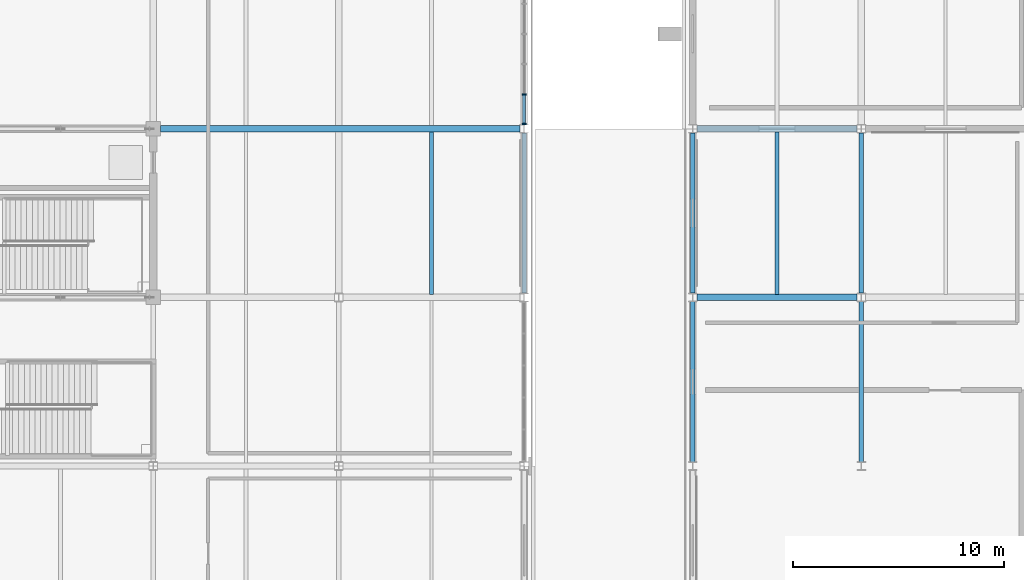
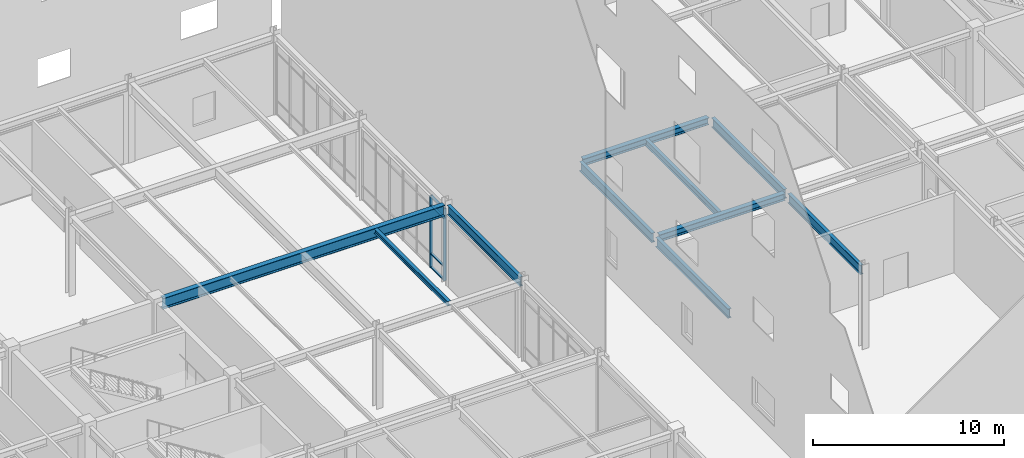
# One storey, part 43 of 119: 10 beams, 6 members, 1 element without a shape of its own.
"""IFC4 building model written with IfcOpenShell, lengths in metres."""

from ifc_helpers import new_model, si_unit, direction, frame, origin, origin_2d, place, context, subcontext, project, spatial, rectangle, i_section, extrude, material, material_profile, profile_set, type_object, element, aggregate, save


model = new_model("IFC4")

# Units and contexts
model_context = context("Model", 3, precision=1e-05, world=origin(), true_north=direction((0.0, 1.0)))
body_context = subcontext(model_context, "Body", "Model", "MODEL_VIEW")
ifc_project = project(units=[si_unit("LENGTHUNIT", "METRE"), si_unit("AREAUNIT", "SQUARE_METRE"), si_unit("VOLUMEUNIT", "CUBIC_METRE"), si_unit("PLANEANGLEUNIT", "RADIAN"), si_unit("MASSUNIT", "GRAM", prefix="KILO")], contexts=[model_context])

# Site, building, storey
site_placement = place(None, origin())
site = spatial("IfcSite", under=ifc_project, at=site_placement, CompositionType="ELEMENT")
building_placement = place(site_placement, origin())
building = spatial("IfcBuilding", under=site, at=building_placement, Name="Zhaolan Boulevard Law Courts", CompositionType="ELEMENT")
storey_placement = place(building_placement, origin())
storey = spatial("IfcBuildingStorey", under=building, at=storey_placement, Name="L00", CompositionType="ELEMENT", Elevation=0.0)

# Curtain wall, members
ifc_material_1 = material(Name="Thermally broken aluminium and low-E glazing", Category="aluminium")
curtain_wall_type = type_object("IfcCurtainWallType", Name="CURTAIN WALL M9", PredefinedType="USERDEFINED", material=ifc_material_1)
curtain_wall_placement = place(storey_placement, origin())
curtain_wall = element("IfcCurtainWall", 1, at=curtain_wall_placement, inside=storey, type_object=curtain_wall_type, Name="Curtain Wall CW-L00-105", ObjectType="CURTAIN WALL", PredefinedType="USERDEFINED")
ifc_material_2 = material(Name="Fluorocarbon-coated aluminium 6063-T6", Category="aluminium")
ifc_material_profile_1 = material_profile(ifc_material_2, rectangle(XDim=0.179931640625, YDim=0.06494140625, at=origin_2d()), Name="AL65x180")
ifc_profile_set_1 = profile_set([ifc_material_profile_1], Name="Fluorocarbon-coated aluminium 6063-T6")
member_type_1 = type_object("IfcMemberType", Name="CWMULLION 65X180", PredefinedType="MULLION", material=ifc_profile_set_1)
member_1_placement = place(storey_placement, frame((44.0, 94.234619140625, 0.0), z_axis=(0.0, 0.0, 1.0), x_axis=(-1.0, 0.0, 0.0)))
member_1 = element("IfcMember", 2, at=member_1_placement, type_object=member_type_1, Name="CW-L00-105 mullion 1", PredefinedType="MULLION", context=body_context, shape_type="SweptSolid", body=[
    extrude(rectangle(XDim=0.179931640625, YDim=0.06494140625, at=origin_2d()), origin(), (0.0, 0.0, 1.0), 4.62109375),
])
member_2_placement = place(storey_placement, frame((44.0, 95.634765625, 0.0), z_axis=(0.0, 0.0, 1.0), x_axis=(-1.0, 0.0, 0.0)))
member_2 = element("IfcMember", 3, at=member_2_placement, type_object=member_type_1, Name="CW-L00-105 mullion 2", PredefinedType="MULLION", context=body_context, shape_type="SweptSolid", body=[
    extrude(rectangle(XDim=0.179931640625, YDim=0.06494140625, at=origin_2d()), origin(), (0.0, 0.0, 1.0), 4.62109375),
])
ifc_material_3 = material(Name="Fluorocarbon-coated aluminium 6063-T6", Category="aluminium")
ifc_material_profile_2 = material_profile(ifc_material_3, rectangle(XDim=0.139892578125, YDim=0.06494140625, at=origin_2d()), Name="AL65x140")
ifc_profile_set_2 = profile_set([ifc_material_profile_2], Name="Fluorocarbon-coated aluminium 6063-T6")
member_type_2 = type_object("IfcMemberType", Name="CWTRANSOM 65X140", PredefinedType="USERDEFINED", material=ifc_profile_set_2)
member_3_placement = place(storey_placement, frame((44.0, 94.26708984375, 0.032470703125), z_axis=(0.0, 1.0, 0.0), x_axis=(-1.0, 0.0, 0.0)))
member_3 = element("IfcMember", 4, at=member_3_placement, type_object=member_type_2, Name="CW-L00-105 transom 1.1", ObjectType="TRANSOM", PredefinedType="USERDEFINED", context=body_context, shape_type="SweptSolid", body=[
    extrude(rectangle(XDim=0.139892578125, YDim=0.06494140625, at=origin_2d()), origin(), (0.0, 0.0, 1.0), 1.3349609375),
])
member_4_placement = place(storey_placement, frame((44.0, 94.26708984375, 0.89990234375), z_axis=(0.0, 1.0, 0.0), x_axis=(-1.0, 0.0, 0.0)))
member_4 = element("IfcMember", 5, at=member_4_placement, type_object=member_type_2, Name="CW-L00-105 transom 1.2", ObjectType="TRANSOM", PredefinedType="USERDEFINED", context=body_context, shape_type="SweptSolid", body=[
    extrude(rectangle(XDim=0.139892578125, YDim=0.06494140625, at=origin_2d()), origin(), (0.0, 0.0, 1.0), 1.3349609375),
])
member_5_placement = place(storey_placement, frame((44.0, 94.26708984375, 3.970947265625), z_axis=(0.0, 1.0, 0.0), x_axis=(-1.0, 0.0, 0.0)))
member_5 = element("IfcMember", 6, at=member_5_placement, type_object=member_type_2, Name="CW-L00-105 transom 1.3", ObjectType="TRANSOM", PredefinedType="USERDEFINED", context=body_context, shape_type="SweptSolid", body=[
    extrude(rectangle(XDim=0.139892578125, YDim=0.06494140625, at=origin_2d()), origin(), (0.0, 0.0, 1.0), 1.3349609375),
])
member_6_placement = place(storey_placement, frame((44.0, 94.26708984375, 4.58837890625), z_axis=(0.0, 1.0, 0.0), x_axis=(-1.0, 0.0, 0.0)))
member_6 = element("IfcMember", 7, at=member_6_placement, type_object=member_type_2, Name="CW-L00-105 transom 1.4", ObjectType="TRANSOM", PredefinedType="USERDEFINED", context=body_context, shape_type="SweptSolid", body=[
    extrude(rectangle(XDim=0.139892578125, YDim=0.06494140625, at=origin_2d()), origin(), (0.0, 0.0, 1.0), 1.3349609375),
])
aggregate(curtain_wall, [member_1, member_2, member_3, member_4, member_5, member_6])

# Beams
ifc_material_4 = material(Name="Structural steel Q355B", Category="steel")
ifc_material_profile_3 = material_profile(ifc_material_4, i_section(OverallWidth=0.300048828125, OverallDepth=0.43994140625, WebThickness=0.010986328125, FlangeThickness=0.01806640625, FilletRadius=0.02001953125, at=origin_2d()), Name="HM440x300")
ifc_profile_set_3 = profile_set([ifc_material_profile_3], Name="Structural steel Q355B")
beam_type_1 = type_object("IfcBeamType", Name="GIRDER HM440", PredefinedType="BEAM", material=ifc_profile_set_3)
for number, where, z_axis, x_axis, name in (
    (8, (52.196044921875, 86.0, 4.89794921875), (1.0, 0.0, 0.0), (0.0, 1.0, 0.0), "Beam BX-L01-7-8-M"),
    (9, (52.196044921875, 94.0, 4.89794921875), (1.0, 0.0, 0.0), (0.0, 1.0, 0.0), "Beam BX-L01-7-8-N"),
):
    element("IfcBeam", number, at=place(storey_placement, frame(where, z_axis=z_axis, x_axis=x_axis)), inside=storey, type_object=beam_type_1, Name=name, PredefinedType="BEAM", context=body_context, shape_type="SweptSolid", body=[
        extrude(i_section(OverallWidth=0.300048828125, OverallDepth=0.43994140625, WebThickness=0.010986328125, FlangeThickness=0.01806640625, FilletRadius=0.02001953125, at=origin_2d()), origin(), (0.0, 0.0, 1.0), 7.60791015625),
    ])
ifc_material_5 = material(Name="Structural steel Q355B", Category="steel")
ifc_material_profile_4 = material_profile(ifc_material_5, i_section(OverallWidth=0.199951171875, OverallDepth=0.60009765625, WebThickness=0.010986328125, FlangeThickness=0.01708984375, FilletRadius=0.02001953125, at=origin_2d()), Name="HN600x200")
ifc_profile_set_4 = profile_set([ifc_material_profile_4], Name="Structural steel Q355B")
beam_type_2 = type_object("IfcBeamType", Name="GIRDER HN600", PredefinedType="BEAM", material=ifc_profile_set_4)
for number, where, z_axis, x_axis, name in (
    (10, (44.0, 86.196044921875, 4.818115234375), (0.0, 1.0, 0.0), (-1.0, 0.0, 0.0), "Beam BY-L01-6-M-N"),
    (11, (52.0, 78.196044921875, 4.818115234375), (0.0, 1.0, 0.0), (-1.0, 0.0, 0.0), "Beam BY-L01-7-L-M"),
    (12, (52.0, 86.196044921875, 4.818115234375), (0.0, 1.0, 0.0), (-1.0, 0.0, 0.0), "Beam BY-L01-7-M-N"),
    (13, (60.0, 78.196044921875, 4.818115234375), (0.0, 1.0, 0.0), (-1.0, 0.0, 0.0), "Beam BY-L01-8-L-M"),
    (14, (60.0, 86.196044921875, 4.818115234375), (0.0, 1.0, 0.0), (-1.0, 0.0, 0.0), "Beam BY-L01-8-M-N"),
):
    element("IfcBeam", number, at=place(storey_placement, frame(where, z_axis=z_axis, x_axis=x_axis)), inside=storey, type_object=beam_type_2, Name=name, PredefinedType="BEAM", context=body_context, shape_type="SweptSolid", body=[
        extrude(i_section(OverallWidth=0.199951171875, OverallDepth=0.60009765625, WebThickness=0.010986328125, FlangeThickness=0.01708984375, FilletRadius=0.02001953125, at=origin_2d()), origin(), (0.0, 0.0, 1.0), 7.60791015625),
    ])
ifc_material_6 = material(Name="Structural steel Q390B", Category="steel")
ifc_material_profile_5 = material_profile(ifc_material_6, i_section(OverallWidth=0.300048828125, OverallDepth=0.699951171875, WebThickness=0.012939453125, FlangeThickness=0.02392578125, FilletRadius=0.02392578125, at=origin_2d()), Name="HN700x300")
ifc_profile_set_5 = profile_set([ifc_material_profile_5], Name="Structural steel Q390B")
beam_type_3 = type_object("IfcBeamType", Name="GIRDER HN700", PredefinedType="BEAM", material=ifc_profile_set_5)
beam_1_placement = place(storey_placement, frame((26.74609375, 94.0, 4.76806640625), z_axis=(1.0, 0.0, 0.0), x_axis=(0.0, 1.0, 0.0)))
element("IfcBeam", 15, at=beam_1_placement, inside=storey, type_object=beam_type_3, Name="Beam BX-L01-4-6-N", PredefinedType="BEAM", context=body_context, shape_type="SweptSolid", body=[
    extrude(i_section(OverallWidth=0.300048828125, OverallDepth=0.699951171875, WebThickness=0.012939453125, FlangeThickness=0.02392578125, FilletRadius=0.02392578125, at=origin_2d()), origin(), (0.0, 0.0, 1.0), 17.057861328125),
])
ifc_material_7 = material(Name="Structural steel Q355B", Category="steel")
ifc_material_profile_6 = material_profile(ifc_material_7, i_section(OverallWidth=0.199951171875, OverallDepth=0.2939453125, WebThickness=0.008056640625, FlangeThickness=0.011962890625, FilletRadius=0.01611328125, at=origin_2d()), Name="HM294x200")
ifc_profile_set_6 = profile_set([ifc_material_profile_6], Name="Structural steel Q355B")
beam_type_4 = type_object("IfcBeamType", Name="JOIST HM294", PredefinedType="JOIST", material=ifc_profile_set_6)
beam_2_placement = place(storey_placement, frame((39.60009765625, 86.14599609375, 4.970947265625), z_axis=(0.0, 1.0, 0.0), x_axis=(-1.0, 0.0, 0.0)))
element("IfcBeam", 16, at=beam_2_placement, inside=storey, type_object=beam_type_4, Name="Composite Joist J-L01-5M", PredefinedType="JOIST", context=body_context, shape_type="SweptSolid", body=[
    extrude(i_section(OverallWidth=0.199951171875, OverallDepth=0.2939453125, WebThickness=0.008056640625, FlangeThickness=0.011962890625, FilletRadius=0.01611328125, at=origin_2d()), origin(), (0.0, 0.0, 1.0), 7.7080078125),
])
ifc_material_8 = material(Name="Structural steel Q355B", Category="steel")
ifc_material_profile_7 = material_profile(ifc_material_8, i_section(OverallWidth=0.199951171875, OverallDepth=0.39990234375, WebThickness=0.008056640625, FlangeThickness=0.012939453125, FilletRadius=0.013916015625, at=origin_2d()), Name="HN400x200")
ifc_profile_set_7 = profile_set([ifc_material_profile_7], Name="Structural steel Q355B")
beam_type_5 = type_object("IfcBeamType", Name="JOIST HN400", PredefinedType="JOIST", material=ifc_profile_set_7)
beam_3_placement = place(storey_placement, frame((56.0, 86.14599609375, 4.91796875), z_axis=(0.0, 1.0, 0.0), x_axis=(-1.0, 0.0, 0.0)))
element("IfcBeam", 17, at=beam_3_placement, inside=storey, type_object=beam_type_5, Name="Composite Joist J-L01-7M", PredefinedType="JOIST", context=body_context, shape_type="SweptSolid", body=[
    extrude(i_section(OverallWidth=0.199951171875, OverallDepth=0.39990234375, WebThickness=0.008056640625, FlangeThickness=0.012939453125, FilletRadius=0.013916015625, at=origin_2d()), origin(), (0.0, 0.0, 1.0), 7.7080078125),
])

save(model, "model.ifc")
